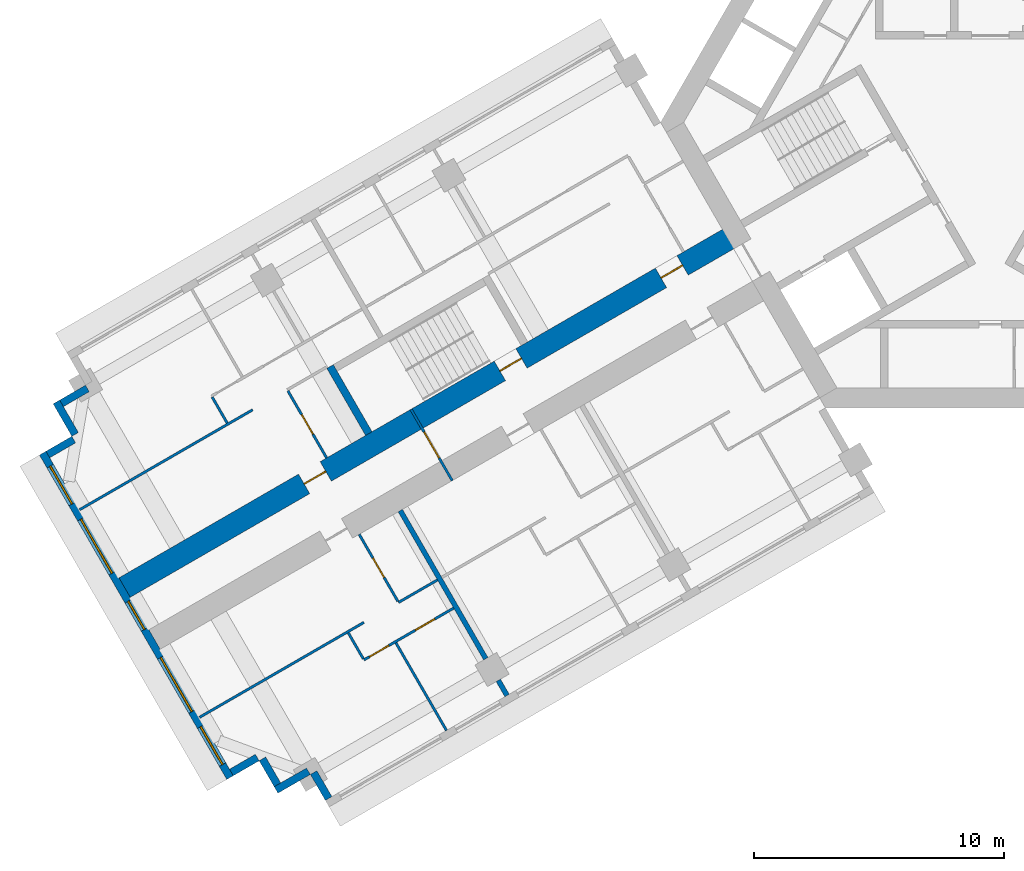
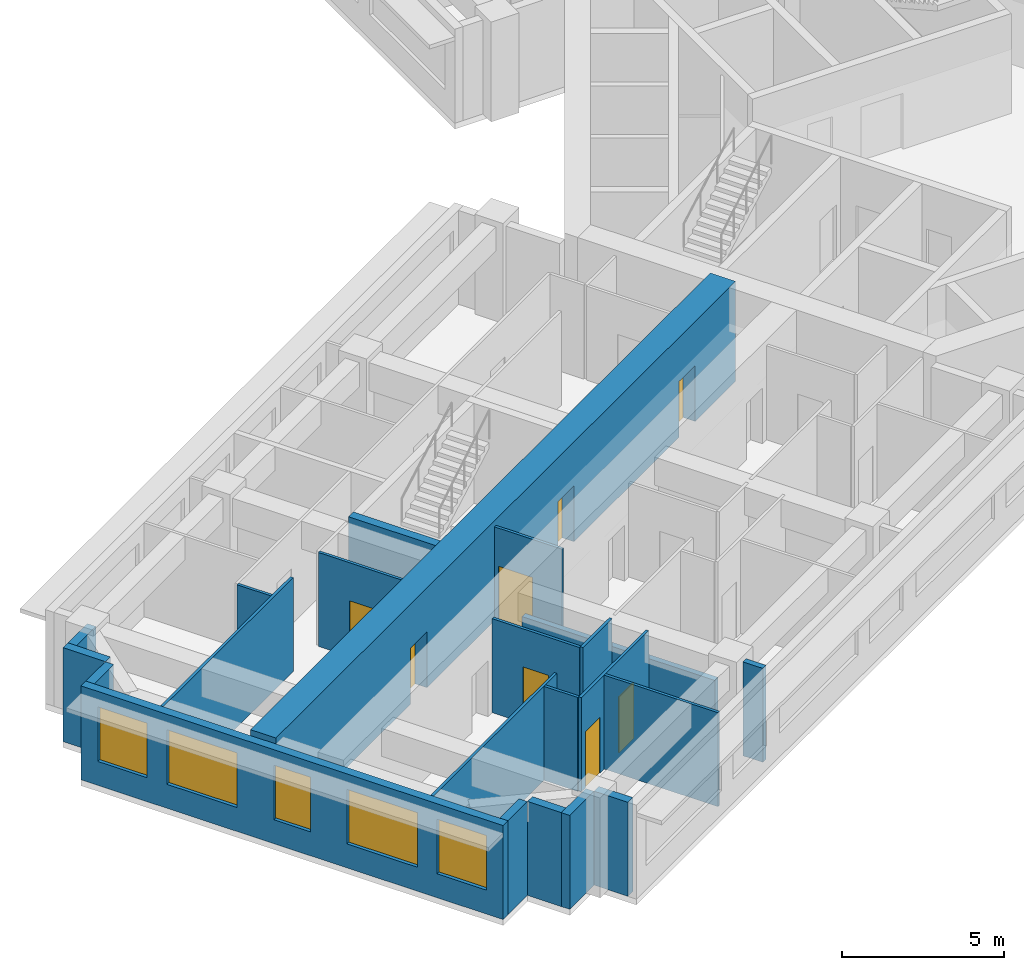
# One storey, part 2 of 12: 22 walls, 8 doors, 5 windows, 13 openings.
"""IFC4 building model written with IfcOpenShell, lengths in metres."""

from ifc_helpers import new_model, si_unit, direction, frame, frame_2d, origin, place, context, subcontext, project, spatial, rectangle, extrude, material, layer, layer_set, type_object, element, fill, save


model = new_model("IFC4")

# Units and contexts
model_context = context("Model", 3, precision=1e-05, world=origin(), true_north=direction((0.0, 1.0)))
body_context = subcontext(model_context, "Body", "Model", "MODEL_VIEW")
ifc_project = project(units=[si_unit("LENGTHUNIT", "METRE"), si_unit("AREAUNIT", "SQUARE_METRE"), si_unit("VOLUMEUNIT", "CUBIC_METRE"), si_unit("PLANEANGLEUNIT", "RADIAN"), si_unit("MASSUNIT", "GRAM", prefix="KILO")], contexts=[model_context])

# Site, building, storey
site_placement = place(None, origin())
site = spatial("IfcSite", under=ifc_project, at=site_placement, CompositionType="ELEMENT")
building_placement = place(site_placement, origin())
building = spatial("IfcBuilding", under=site, at=building_placement, Name="Impinga Residences", CompositionType="ELEMENT")
storey_placement = place(building_placement, frame((0.0, 0.0, 173.5)))
storey = spatial("IfcBuildingStorey", under=building, at=storey_placement, Name="L43", CompositionType="ELEMENT", Elevation=173.5)

# Wall, openings, doors
ifc_material_1 = material(Name="Concrete C60/75", Category="concrete")
ifc_layer_1 = layer(ifc_material_1, 0.89990234375)
ifc_layer_set_1 = layer_set([ifc_layer_1], Name="Concrete C60/75")
wall_type_1 = type_object("IfcWallType", Name="BW2 corridor buttress wall, L24 to L44 900", PredefinedType="SHEAR", material=ifc_layer_set_1)
wall_1_placement = place(storey_placement, frame((-10.153564453125, -4.4765625, 0.0), z_axis=(0.0, 0.0, 1.0), x_axis=(-0.866027127636, -0.49999701419, 0.0)))
wall_1 = element("IfcWall", 1, at=wall_1_placement, inside=storey, type_object=wall_type_1, Name="Corridor wall BW2 WD L43", PredefinedType="SHEAR", context=body_context, shape_type="SweptSolid", body=[
    extrude(rectangle(XDim=28.300048828125, YDim=0.89990234375, at=frame_2d((14.14990234375, 0.0))), origin(), (0.0, 0.0, 1.0), 3.75),
])
opening_1_placement = place(wall_1_placement, frame((9.949951171875, 0.0, 0.0)))
opening_1 = element("IfcOpeningElement", 2, at=opening_1_placement, cuts=wall_1, Name="Opening D5", PredefinedType="OPENING", context=body_context, shape_type="SweptSolid", body=[
    extrude(rectangle(XDim=1.0, YDim=2.10009765625, at=frame_2d((0.5, 1.050048828125))), frame((0.0, 0.4599609375, 0.0), z_axis=(0.0, -1.0, 0.0), x_axis=(1.0, 0.0, 0.0)), (0.0, 0.0, 1.0), 0.919921875),
])
opening_2_placement = place(wall_1_placement, frame((2.5, 0.0, 0.0)))
opening_2 = element("IfcOpeningElement", 3, at=opening_2_placement, cuts=wall_1, Name="Opening D1", PredefinedType="OPENING", context=body_context, shape_type="SweptSolid", body=[
    extrude(rectangle(XDim=1.0, YDim=2.10009765625, at=frame_2d((0.5, 1.050048828125))), frame((0.0, 0.4599609375, 0.0), z_axis=(0.0, -1.0, 0.0), x_axis=(1.0, 0.0, 0.0)), (0.0, 0.0, 1.0), 0.919921875),
])
opening_3_placement = place(wall_1_placement, frame((19.0, 0.0, 0.0)))
opening_3 = element("IfcOpeningElement", 4, at=opening_3_placement, cuts=wall_1, Name="Opening D1", PredefinedType="OPENING", context=body_context, shape_type="SweptSolid", body=[
    extrude(rectangle(XDim=1.0, YDim=2.10009765625, at=frame_2d((0.5, 1.050048828125))), frame((0.0, 0.4599609375, 0.0), z_axis=(0.0, -1.0, 0.0), x_axis=(1.0, 0.0, 0.0)), (0.0, 0.0, 1.0), 0.919921875),
])
ifc_material_2 = material(Name="Timber door set", Category="wood")
door_type_1 = type_object("IfcDoorType", Name="D1 apartment entrance door 1000x2100", OperationType="SINGLE_SWING_LEFT", PredefinedType="DOOR", material=ifc_material_2)
door_1_placement = place(opening_2_placement, origin())
door_1 = element("IfcDoor", 5, at=door_1_placement, inside=storey, type_object=door_type_1, Name="Apartment L43-WF1 entrance", OperationType="SINGLE_SWING_LEFT", OverallHeight=2.10009765625, OverallWidth=1.0, PredefinedType="DOOR", context=body_context, shape_type="SweptSolid", body=[
    extrude(rectangle(XDim=1.0, YDim=2.10009765625, at=frame_2d((0.5, 1.050048828125))), frame((0.0, 0.02490234375, 0.0), z_axis=(0.0, -1.0, 0.0), x_axis=(1.0, 0.0, 0.0)), (0.0, 0.0, 1.0), 0.050048828125),
])
fill(opening_2, door_1)
door_2_placement = place(opening_3_placement, origin())
door_2 = element("IfcDoor", 6, at=door_2_placement, inside=storey, type_object=door_type_1, Name="Apartment L43-WF2 entrance", OperationType="SINGLE_SWING_RIGHT", OverallHeight=2.10009765625, OverallWidth=1.0, PredefinedType="DOOR", context=body_context, shape_type="SweptSolid", body=[
    extrude(rectangle(XDim=1.0, YDim=2.10009765625, at=frame_2d((0.5, 1.050048828125))), frame((0.0, 0.02490234375, 0.0), z_axis=(0.0, -1.0, 0.0), x_axis=(1.0, 0.0, 0.0)), (0.0, 0.0, 1.0), 0.050048828125),
])
fill(opening_3, door_2)
door_type_2 = type_object("IfcDoorType", Name="D5 stair door 1000x2100", OperationType="SINGLE_SWING_LEFT", PredefinedType="DOOR", material=ifc_material_2)
door_3_placement = place(opening_1_placement, origin())
door_3 = element("IfcDoor", 7, at=door_3_placement, inside=storey, type_object=door_type_2, Name="Wing stair door W", OperationType="SINGLE_SWING_LEFT", OverallHeight=2.10009765625, OverallWidth=1.0, PredefinedType="DOOR", context=body_context, shape_type="SweptSolid", body=[
    extrude(rectangle(XDim=1.0, YDim=2.10009765625, at=frame_2d((0.5, 1.050048828125))), frame((0.0, 0.02490234375, 0.0), z_axis=(0.0, -1.0, 0.0), x_axis=(1.0, 0.0, 0.0)), (0.0, 0.0, 1.0), 0.050048828125),
])
fill(opening_1, door_3)

# Wall, opening, door
ifc_material_3 = material(Name="Concrete blockwork", Category="masonry")
ifc_layer_2 = layer(ifc_material_3, 0.10009765625)
ifc_layer_set_2 = layer_set([ifc_layer_2], Name="CP1 core room partition, blockwork 100")
wall_type_2 = type_object("IfcWallType", Name="CP1 core room partition, blockwork 100", PredefinedType="PARTITIONING", material=ifc_layer_set_2)
wall_2_placement = place(storey_placement, frame((-21.545654296875, -14.3447265625, 0.0), z_axis=(0.0, 0.0, 1.0), x_axis=(-0.50002983664, 0.866008176907, 0.0)))
wall_2 = element("IfcWall", 8, at=wall_2_placement, inside=storey, type_object=wall_type_2, Name="Core room partition, blockwork L43:W:PLB", PredefinedType="PARTITIONING", context=body_context, shape_type="SweptSolid", body=[
    extrude(rectangle(XDim=3.300048828125, YDim=0.10009765625, at=frame_2d((1.64990234375, 0.0))), origin(), (0.0, 0.0, 1.0), 3.530029296875),
])
opening_4_placement = place(wall_2_placement, frame((1.050048828125, 0.0, 0.0)))
opening_4 = element("IfcOpeningElement", 9, at=opening_4_placement, cuts=wall_2, Name="Opening D3", PredefinedType="OPENING", context=body_context, shape_type="SweptSolid", body=[
    extrude(rectangle(XDim=1.199951171875, YDim=2.10009765625, at=frame_2d((0.60009765625, 1.050048828125))), frame((0.0, 0.06005859375, 0.0), z_axis=(0.0, -1.0, 0.0), x_axis=(1.0, 0.0, 0.0)), (0.0, 0.0, 1.0), 0.1201171875),
])
door_type_3 = type_object("IfcDoorType", Name="D3 room door, leaf and a half 1200x2100", OperationType="DOUBLE_SWING_LEFT", PredefinedType="DOOR", material=ifc_material_2)
door_4_placement = place(opening_4_placement, origin())
door_4 = element("IfcDoor", 10, at=door_4_placement, inside=storey, type_object=door_type_3, Name="Private lobby door W", OperationType="DOUBLE_SWING_LEFT", OverallHeight=2.10009765625, OverallWidth=1.199951171875, PredefinedType="DOOR", context=body_context, shape_type="SweptSolid", body=[
    extrude(rectangle(XDim=1.199951171875, YDim=2.10009765625, at=frame_2d((0.60009765625, 1.050048828125))), frame((0.0, 0.02490234375, 0.0), z_axis=(0.0, -1.0, 0.0), x_axis=(1.0, 0.0, 0.0)), (0.0, 0.0, 1.0), 0.050048828125),
])
fill(opening_4, door_4)

# Walls
ifc_material_4 = material(Name="Terracotta rainscreen on blockwork", Category="masonry")
ifc_layer_3 = layer(ifc_material_4, 0.300048828125)
ifc_layer_set_3 = layer_set([ifc_layer_3], Name="EW1 external wall, terracotta rainscreen on blockwork 300")
wall_type_3 = type_object("IfcWallType", Name="EW1 external wall, terracotta rainscreen on blockwork 300", PredefinedType="SOLIDWALL", material=ifc_layer_set_3)
wall_3_placement = place(storey_placement, frame((-26.493896484375, -27.07421875, 0.0), z_axis=(0.0, 0.0, 1.0), x_axis=(-0.500033551112, 0.866006032174, 0.0)))
element("IfcWall", 11, at=wall_3_placement, inside=storey, type_object=wall_type_3, Name="External wall EW1 L43", PredefinedType="SOLIDWALL", context=body_context, shape_type="SweptSolid", body=[
    extrude(rectangle(XDim=1.2001953125, YDim=0.300048828125, at=frame_2d((0.60009765625, 0.0))), origin(), (0.0, 0.0, 1.0), 3.530029296875),
])
wall_4_placement = place(storey_placement, frame((-27.30322265625, -25.982666015625, 0.0), z_axis=(0.0, 0.0, 1.0), x_axis=(-0.866074087889, -0.499915667175, 0.0)))
element("IfcWall", 12, at=wall_4_placement, inside=storey, type_object=wall_type_3, Name="External wall EW1 L43", PredefinedType="SOLIDWALL", context=body_context, shape_type="SweptSolid", body=[
    extrude(rectangle(XDim=1.494873046875, YDim=0.300048828125, at=frame_2d((0.74755859375, 0.0))), origin(), (0.0, 0.0, 1.0), 3.530029296875),
])
wall_5_placement = place(storey_placement, frame((-28.54296875, -26.525146484375, 0.0), z_axis=(0.0, 0.0, 1.0), x_axis=(-0.500033551112, 0.866006032174, 0.0)))
element("IfcWall", 13, at=wall_5_placement, inside=storey, type_object=wall_type_3, Name="External wall EW1 L43", PredefinedType="SOLIDWALL", context=body_context, shape_type="SweptSolid", body=[
    extrude(rectangle(XDim=1.2001953125, YDim=0.300048828125, at=frame_2d((0.60009765625, 0.0))), origin(), (0.0, 0.0, 1.0), 3.530029296875),
])
wall_6_placement = place(storey_placement, frame((-29.352294921875, -25.43359375, 0.0), z_axis=(0.0, 0.0, 1.0), x_axis=(-0.866059708757, -0.499940577336, 0.0)))
element("IfcWall", 14, at=wall_6_placement, inside=storey, type_object=wall_type_3, Name="External wall EW1 L43", PredefinedType="SOLIDWALL", context=body_context, shape_type="SweptSolid", body=[
    extrude(rectangle(XDim=1.195068359375, YDim=0.300048828125, at=frame_2d((0.59765625, 0.0))), origin(), (0.0, 0.0, 1.0), 3.530029296875),
])

# Wall, openings, windows
wall_7_placement = place(storey_placement, frame((-30.44189453125, -26.23583984375, 0.0), z_axis=(0.0, 0.0, 1.0), x_axis=(-0.500004234368, 0.866022959057, 0.0)))
wall_7 = element("IfcWall", 15, at=wall_7_placement, inside=storey, type_object=wall_type_3, Name="External wall EW1 L43", PredefinedType="SOLIDWALL", context=body_context, shape_type="SweptSolid", body=[
    extrude(rectangle(XDim=14.999755859375, YDim=0.300048828125, at=frame_2d((7.5, 0.0))), origin(), (0.0, 0.0, 1.0), 3.530029296875),
])
opening_5_placement = place(wall_7_placement, frame((0.60009765625, 0.0, 0.89990234375)))
opening_5 = element("IfcOpeningElement", 16, at=opening_5_placement, cuts=wall_7, Name="Opening W1", PredefinedType="OPENING", context=body_context, shape_type="SweptSolid", body=[
    extrude(rectangle(XDim=1.75, YDim=2.050048828125, at=frame_2d((0.875, 1.02490234375))), frame((0.0, 0.159912109375, 0.0), z_axis=(0.0, -1.0, 0.0), x_axis=(1.0, 0.0, 0.0)), (0.0, 0.0, 1.0), 0.320068359375),
])
opening_6_placement = place(wall_7_placement, frame((3.050048828125, 0.0, 0.89990234375)))
opening_6 = element("IfcOpeningElement", 17, at=opening_6_placement, cuts=wall_7, Name="Opening W2", PredefinedType="OPENING", context=body_context, shape_type="SweptSolid", body=[
    extrude(rectangle(XDim=2.5, YDim=2.050048828125, at=frame_2d((1.25, 1.02490234375))), frame((0.0, 0.159912109375, 0.0), z_axis=(0.0, -1.0, 0.0), x_axis=(1.0, 0.0, 0.0)), (0.0, 0.0, 1.0), 0.320068359375),
])
opening_7_placement = place(wall_7_placement, frame((6.85009765625, 0.0, 0.89990234375)))
opening_7 = element("IfcOpeningElement", 18, at=opening_7_placement, cuts=wall_7, Name="Opening W17", PredefinedType="OPENING", context=body_context, shape_type="SweptSolid", body=[
    extrude(rectangle(XDim=1.300048828125, YDim=2.050048828125, at=frame_2d((0.64990234375, 1.02490234375))), frame((0.0, 0.159912109375, 0.0), z_axis=(0.0, -1.0, 0.0), x_axis=(1.0, 0.0, 0.0)), (0.0, 0.0, 1.0), 0.320068359375),
])
opening_8_placement = place(wall_7_placement, frame((9.449951171875, 0.0, 0.89990234375)))
opening_8 = element("IfcOpeningElement", 19, at=opening_8_placement, cuts=wall_7, Name="Opening W2", PredefinedType="OPENING", context=body_context, shape_type="SweptSolid", body=[
    extrude(rectangle(XDim=2.5, YDim=2.050048828125, at=frame_2d((1.25, 1.02490234375))), frame((0.0, 0.159912109375, 0.0), z_axis=(0.0, -1.0, 0.0), x_axis=(1.0, 0.0, 0.0)), (0.0, 0.0, 1.0), 0.320068359375),
])
opening_9_placement = place(wall_7_placement, frame((12.64990234375, 0.0, 0.89990234375)))
opening_9 = element("IfcOpeningElement", 20, at=opening_9_placement, cuts=wall_7, Name="Opening W1", PredefinedType="OPENING", context=body_context, shape_type="SweptSolid", body=[
    extrude(rectangle(XDim=1.75, YDim=2.050048828125, at=frame_2d((0.875, 1.02490234375))), frame((0.0, 0.159912109375, 0.0), z_axis=(0.0, -1.0, 0.0), x_axis=(1.0, 0.0, 0.0)), (0.0, 0.0, 1.0), 0.320068359375),
])
ifc_material_5 = material(Name="Aluminium window, clear double glazing", Category="aluminium")
window_type_1 = type_object("IfcWindowType", Name="W1 ribbon window 1750x2050", PartitioningType="SINGLE_PANEL", PredefinedType="WINDOW", material=ifc_material_5)
window_1_placement = place(opening_5_placement, origin())
window_1 = element("IfcWindow", 21, at=window_1_placement, inside=storey, type_object=window_type_1, Name="Window L43", OverallHeight=2.050048828125, OverallWidth=1.75, PartitioningType="SINGLE_PANEL", PredefinedType="WINDOW", context=body_context, shape_type="SweptSolid", body=[
    extrude(rectangle(XDim=1.75, YDim=2.050048828125, at=frame_2d((0.875, 1.02490234375))), frame((0.0, 0.030029296875, 0.0), z_axis=(0.0, -1.0, 0.0), x_axis=(1.0, 0.0, 0.0)), (0.0, 0.0, 1.0), 0.06005859375),
])
fill(opening_5, window_1)
window_2_placement = place(opening_9_placement, origin())
window_2 = element("IfcWindow", 22, at=window_2_placement, inside=storey, type_object=window_type_1, Name="Window L43", OverallHeight=2.050048828125, OverallWidth=1.75, PartitioningType="SINGLE_PANEL", PredefinedType="WINDOW", context=body_context, shape_type="SweptSolid", body=[
    extrude(rectangle(XDim=1.75, YDim=2.050048828125, at=frame_2d((0.875, 1.02490234375))), frame((0.0, 0.030029296875, 0.0), z_axis=(0.0, -1.0, 0.0), x_axis=(1.0, 0.0, 0.0)), (0.0, 0.0, 1.0), 0.06005859375),
])
fill(opening_9, window_2)
window_type_2 = type_object("IfcWindowType", Name="W17 ribbon window 1300x2050", PartitioningType="SINGLE_PANEL", PredefinedType="WINDOW", material=ifc_material_5)
window_3_placement = place(opening_7_placement, origin())
window_3 = element("IfcWindow", 23, at=window_3_placement, inside=storey, type_object=window_type_2, Name="Window L43", OverallHeight=2.050048828125, OverallWidth=1.300048828125, PartitioningType="SINGLE_PANEL", PredefinedType="WINDOW", context=body_context, shape_type="SweptSolid", body=[
    extrude(rectangle(XDim=1.300048828125, YDim=2.050048828125, at=frame_2d((0.64990234375, 1.02490234375))), frame((0.0, 0.030029296875, 0.0), z_axis=(0.0, -1.0, 0.0), x_axis=(1.0, 0.0, 0.0)), (0.0, 0.0, 1.0), 0.06005859375),
])
fill(opening_7, window_3)
window_type_3 = type_object("IfcWindowType", Name="W2 ribbon window 2500x2050", PartitioningType="SINGLE_PANEL", PredefinedType="WINDOW", material=ifc_material_5)
window_4_placement = place(opening_6_placement, origin())
window_4 = element("IfcWindow", 24, at=window_4_placement, inside=storey, type_object=window_type_3, Name="Window L43", OverallHeight=2.050048828125, OverallWidth=2.5, PartitioningType="SINGLE_PANEL", PredefinedType="WINDOW", context=body_context, shape_type="SweptSolid", body=[
    extrude(rectangle(XDim=2.5, YDim=2.050048828125, at=frame_2d((1.25, 1.02490234375))), frame((0.0, 0.030029296875, 0.0), z_axis=(0.0, -1.0, 0.0), x_axis=(1.0, 0.0, 0.0)), (0.0, 0.0, 1.0), 0.06005859375),
])
fill(opening_6, window_4)
window_5_placement = place(opening_8_placement, origin())
window_5 = element("IfcWindow", 25, at=window_5_placement, inside=storey, type_object=window_type_3, Name="Window L43", OverallHeight=2.050048828125, OverallWidth=2.5, PartitioningType="SINGLE_PANEL", PredefinedType="WINDOW", context=body_context, shape_type="SweptSolid", body=[
    extrude(rectangle(XDim=2.5, YDim=2.050048828125, at=frame_2d((1.25, 1.02490234375))), frame((0.0, 0.030029296875, 0.0), z_axis=(0.0, -1.0, 0.0), x_axis=(1.0, 0.0, 0.0)), (0.0, 0.0, 1.0), 0.06005859375),
])
fill(opening_8, window_5)

# Walls
wall_8_placement = place(storey_placement, frame((-37.737060546875, -13.300537109375, 0.0), z_axis=(0.0, 0.0, 1.0), x_axis=(0.865971243484, 0.500093796661, 0.0)))
element("IfcWall", 26, at=wall_8_placement, inside=storey, type_object=wall_type_3, Name="External wall EW1 L43", PredefinedType="SOLIDWALL", context=body_context, shape_type="SweptSolid", body=[
    extrude(rectangle(XDim=1.195068359375, YDim=0.300048828125, at=frame_2d((0.59765625, 0.0))), origin(), (0.0, 0.0, 1.0), 3.530029296875),
])
wall_9_placement = place(storey_placement, frame((-36.64306640625, -12.49560546875, 0.0), z_axis=(0.0, 0.0, 1.0), x_axis=(-0.499990139034, 0.866031096941, 0.0)))
element("IfcWall", 27, at=wall_9_placement, inside=storey, type_object=wall_type_3, Name="External wall EW1 L43", PredefinedType="SOLIDWALL", context=body_context, shape_type="SweptSolid", body=[
    extrude(rectangle(XDim=1.5, YDim=0.300048828125, at=frame_2d((0.75, 0.0))), origin(), (0.0, 0.0, 1.0), 3.530029296875),
])
wall_10_placement = place(storey_placement, frame((-37.18798828125, -11.25146484375, 0.0), z_axis=(0.0, 0.0, 1.0), x_axis=(0.866059708757, 0.499940577336, 0.0)))
element("IfcWall", 28, at=wall_10_placement, inside=storey, type_object=wall_type_3, Name="External wall EW1 L43", PredefinedType="SOLIDWALL", context=body_context, shape_type="SweptSolid", body=[
    extrude(rectangle(XDim=1.195068359375, YDim=0.300048828125, at=frame_2d((0.59765625, 0.0))), origin(), (0.0, 0.0, 1.0), 3.530029296875),
])
ifc_material_6 = material(Name="Gypsum board on steel studs", Category="steel")
ifc_layer_4 = layer(ifc_material_6, 0.10009765625)
ifc_layer_set_4 = layer_set([ifc_layer_4], Name="Gypsum board on steel studs")
wall_type_4 = type_object("IfcWallType", Name="IP1 partition 100", PredefinedType="PARTITIONING", material=ifc_layer_set_4)
wall_11_placement = place(storey_placement, frame((-22.1357421875, -18.32275390625, 0.0), z_axis=(0.0, 0.0, 1.0), x_axis=(-0.866047807691, -0.499961193289, 0.0)))
element("IfcWall", 29, at=wall_11_placement, inside=storey, type_object=wall_type_4, Name="Partition L43-WA3:DIV0", PredefinedType="PARTITIONING", context=body_context, shape_type="SweptSolid", body=[
    extrude(rectangle(XDim=1.800048828125, YDim=0.10009765625, at=frame_2d((0.89990234375, 0.0))), origin(), (0.0, 0.0, 1.0), 3.530029296875),
])
wall_12_placement = place(storey_placement, frame((-25.080322265625, -20.022705078125, 0.0), z_axis=(0.0, 0.0, 1.0), x_axis=(-0.866022425744, -0.500005158081, 0.0)))
element("IfcWall", 30, at=wall_12_placement, inside=storey, type_object=wall_type_4, Name="Partition L43-WA3:DIV1", PredefinedType="PARTITIONING", context=body_context, shape_type="SweptSolid", body=[
    extrude(rectangle(XDim=7.60009765625, YDim=0.10009765625, at=frame_2d((3.800048828125, 0.0))), origin(), (0.0, 0.0, 1.0), 3.530029296875),
])

# Wall, openings, doors
wall_13_placement = place(storey_placement, frame((-21.48583984375, -19.448486328125, 0.0), z_axis=(0.0, 0.0, 1.0), x_axis=(-0.86602981871, -0.499992353047, 0.0)))
wall_13 = element("IfcWall", 31, at=wall_13_placement, inside=storey, type_object=wall_type_4, Name="Partition L43-WA3:STRIP", PredefinedType="PARTITIONING", context=body_context, shape_type="SweptSolid", body=[
    extrude(rectangle(XDim=4.14990234375, YDim=0.10009765625, at=frame_2d((2.074951171875, 0.0))), origin(), (0.0, 0.0, 1.0), 3.530029296875),
])
opening_10_placement = place(wall_13_placement, frame((0.875, 0.0, 0.0)))
opening_10 = element("IfcOpeningElement", 32, at=opening_10_placement, cuts=wall_13, Name="Opening D2", PredefinedType="OPENING", context=body_context, shape_type="SweptSolid", body=[
    extrude(rectangle(XDim=0.89990234375, YDim=2.10009765625, at=frame_2d((0.449951171875, 1.050048828125))), frame((0.0, 0.06005859375, 0.0), z_axis=(0.0, -1.0, 0.0), x_axis=(1.0, 0.0, 0.0)), (0.0, 0.0, 1.0), 0.1201171875),
])
opening_11_placement = place(wall_13_placement, frame((3.0, 0.0, 0.0)))
opening_11 = element("IfcOpeningElement", 33, at=opening_11_placement, cuts=wall_13, Name="Opening D2", PredefinedType="OPENING", context=body_context, shape_type="SweptSolid", body=[
    extrude(rectangle(XDim=0.89990234375, YDim=2.10009765625, at=frame_2d((0.449951171875, 1.050048828125))), frame((0.0, 0.06005859375, 0.0), z_axis=(0.0, -1.0, 0.0), x_axis=(1.0, 0.0, 0.0)), (0.0, 0.0, 1.0), 0.1201171875),
])
door_type_4 = type_object("IfcDoorType", Name="D2 internal door 900x2100", OperationType="SINGLE_SWING_LEFT", PredefinedType="DOOR", material=ifc_material_2)
door_5_placement = place(opening_10_placement, origin())
door_5 = element("IfcDoor", 34, at=door_5_placement, inside=storey, type_object=door_type_4, Name="Apartment L43-WA3 room door", OperationType="SINGLE_SWING_LEFT", OverallHeight=2.10009765625, OverallWidth=0.89990234375, PredefinedType="DOOR", context=body_context, shape_type="SweptSolid", body=[
    extrude(rectangle(XDim=0.89990234375, YDim=2.10009765625, at=frame_2d((0.449951171875, 1.050048828125))), frame((0.0, 0.02490234375, 0.0), z_axis=(0.0, -1.0, 0.0), x_axis=(1.0, 0.0, 0.0)), (0.0, 0.0, 1.0), 0.050048828125),
])
fill(opening_10, door_5)
door_6_placement = place(opening_11_placement, origin())
door_6 = element("IfcDoor", 35, at=door_6_placement, inside=storey, type_object=door_type_4, Name="Apartment L43-WA3 room door", OperationType="SINGLE_SWING_RIGHT", OverallHeight=2.10009765625, OverallWidth=0.89990234375, PredefinedType="DOOR", context=body_context, shape_type="SweptSolid", body=[
    extrude(rectangle(XDim=0.89990234375, YDim=2.10009765625, at=frame_2d((0.449951171875, 1.050048828125))), frame((0.0, 0.02490234375, 0.0), z_axis=(0.0, -1.0, 0.0), x_axis=(1.0, 0.0, 0.0)), (0.0, 0.0, 1.0), 0.050048828125),
])
fill(opening_11, door_6)

# Wall
wall_14_placement = place(storey_placement, frame((-25.704833984375, -20.44091796875, 0.0), z_axis=(0.0, 0.0, 1.0), x_axis=(0.500033551112, -0.866006032174, 0.0)))
element("IfcWall", 36, at=wall_14_placement, inside=storey, type_object=wall_type_4, Name="Partition L43-WA3:SE1", PredefinedType="PARTITIONING", context=body_context, shape_type="SweptSolid", body=[
    extrude(rectangle(XDim=1.2001953125, YDim=0.10009765625, at=frame_2d((0.60009765625, 0.0))), origin(), (0.0, 0.0, 1.0), 3.530029296875),
])

# Wall, opening, door
wall_15_placement = place(storey_placement, frame((-25.269775390625, -16.49462890625, 0.0), z_axis=(0.0, 0.0, 1.0), x_axis=(0.49999285859, -0.86602952684, 0.0)))
wall_15 = element("IfcWall", 37, at=wall_15_placement, inside=storey, type_object=wall_type_4, Name="Partition L43-WA3:IB1", PredefinedType="PARTITIONING", context=body_context, shape_type="SweptSolid", body=[
    extrude(rectangle(XDim=3.10009765625, YDim=0.10009765625, at=frame_2d((1.550048828125, 0.0))), origin(), (0.0, 0.0, 1.0), 3.530029296875),
])
opening_12_placement = place(wall_15_placement, frame((1.10009765625, 0.0, 0.0)))
opening_12 = element("IfcOpeningElement", 38, at=opening_12_placement, cuts=wall_15, Name="Opening D2", PredefinedType="OPENING", context=body_context, shape_type="SweptSolid", body=[
    extrude(rectangle(XDim=0.89990234375, YDim=2.10009765625, at=frame_2d((0.449951171875, 1.050048828125))), frame((0.0, 0.06005859375, 0.0), z_axis=(0.0, -1.0, 0.0), x_axis=(1.0, 0.0, 0.0)), (0.0, 0.0, 1.0), 0.1201171875),
])
door_7_placement = place(opening_12_placement, origin())
door_7 = element("IfcDoor", 39, at=door_7_placement, inside=storey, type_object=door_type_4, Name="Apartment L43-WA3 bathroom door", OperationType="SINGLE_SWING_LEFT", OverallHeight=2.10009765625, OverallWidth=0.89990234375, PredefinedType="DOOR", context=body_context, shape_type="SweptSolid", body=[
    extrude(rectangle(XDim=0.89990234375, YDim=2.10009765625, at=frame_2d((0.449951171875, 1.050048828125))), frame((0.0, 0.02490234375, 0.0), z_axis=(0.0, -1.0, 0.0), x_axis=(1.0, 0.0, 0.0)), (0.0, 0.0, 1.0), 0.050048828125),
])
fill(opening_12, door_7)

# Walls
wall_16_placement = place(storey_placement, frame((-23.799072265625, -20.841796875, 0.0), z_axis=(0.0, 0.0, 1.0), x_axis=(0.499990325971, -0.866030989016, 0.0)))
element("IfcWall", 40, at=wall_16_placement, inside=storey, type_object=wall_type_4, Name="Partition L43-WA3:OB1", PredefinedType="PARTITIONING", context=body_context, shape_type="SweptSolid", body=[
    extrude(rectangle(XDim=4.0498046875, YDim=0.10009765625, at=frame_2d((2.02490234375, 0.0))), origin(), (0.0, 0.0, 1.0), 3.530029296875),
])
wall_17_placement = place(storey_placement, frame((-29.533935546875, -11.5087890625, 0.0), z_axis=(0.0, 0.0, 1.0), x_axis=(-0.866026010844, -0.49999894854, 0.0)))
element("IfcWall", 41, at=wall_17_placement, inside=storey, type_object=wall_type_4, Name="Partition L43-WF2:DIV1", PredefinedType="PARTITIONING", context=body_context, shape_type="SweptSolid", body=[
    extrude(rectangle(XDim=8.0, YDim=0.10009765625, at=frame_2d((4.0, 0.0))), origin(), (0.0, 0.0, 1.0), 3.530029296875),
])
wall_18_placement = place(storey_placement, frame((-30.554931640625, -12.04052734375, 0.0), z_axis=(0.0, 0.0, 1.0), x_axis=(-0.499880961361, 0.866094119867, 0.0)))
element("IfcWall", 42, at=wall_18_placement, inside=storey, type_object=wall_type_4, Name="Partition L43-WF2:SE1", PredefinedType="PARTITIONING", context=body_context, shape_type="SweptSolid", body=[
    extrude(rectangle(XDim=1.199951171875, YDim=0.10009765625, at=frame_2d((0.60009765625, 0.0))), origin(), (0.0, 0.0, 1.0), 3.530029296875),
])

# Wall, opening, door
wall_19_placement = place(storey_placement, frame((-26.5732421875, -13.436767578125, 0.0), z_axis=(0.0, 0.0, 1.0), x_axis=(-0.500026960575, 0.86600983753, 0.0)))
wall_19 = element("IfcWall", 43, at=wall_19_placement, inside=storey, type_object=wall_type_4, Name="Partition L43-WF2:IB1", PredefinedType="PARTITIONING", context=body_context, shape_type="SweptSolid", body=[
    extrude(rectangle(XDim=3.099853515625, YDim=0.10009765625, at=frame_2d((1.5498046875, 0.0))), origin(), (0.0, 0.0, 1.0), 3.530029296875),
])
opening_13_placement = place(wall_19_placement, frame((1.10009765625, 0.0, 0.0)))
opening_13 = element("IfcOpeningElement", 44, at=opening_13_placement, cuts=wall_19, Name="Opening D2", PredefinedType="OPENING", context=body_context, shape_type="SweptSolid", body=[
    extrude(rectangle(XDim=0.89990234375, YDim=2.10009765625, at=frame_2d((0.449951171875, 1.050048828125))), frame((0.0, 0.06005859375, 0.0), z_axis=(0.0, -1.0, 0.0), x_axis=(1.0, 0.0, 0.0)), (0.0, 0.0, 1.0), 0.1201171875),
])
door_8_placement = place(opening_13_placement, origin())
door_8 = element("IfcDoor", 45, at=door_8_placement, inside=storey, type_object=door_type_4, Name="Apartment L43-WF2 bathroom door", OperationType="SINGLE_SWING_LEFT", OverallHeight=2.10009765625, OverallWidth=0.89990234375, PredefinedType="DOOR", context=body_context, shape_type="SweptSolid", body=[
    extrude(rectangle(XDim=0.89990234375, YDim=2.10009765625, at=frame_2d((0.449951171875, 1.050048828125))), frame((0.0, 0.02490234375, 0.0), z_axis=(0.0, -1.0, 0.0), x_axis=(1.0, 0.0, 0.0)), (0.0, 0.0, 1.0), 0.050048828125),
])
fill(opening_13, door_8)

# Walls
ifc_layer_5 = layer(ifc_material_3, 0.199951171875)
ifc_layer_set_5 = layer_set([ifc_layer_5], Name="PW1 party wall between apartments 200")
wall_type_5 = type_object("IfcWallType", Name="PW1 party wall between apartments 200", PredefinedType="SOLIDWALL", material=ifc_layer_set_5)
wall_20_placement = place(storey_placement, frame((-23.624267578125, -15.544677734375, 0.0), z_axis=(0.0, 0.0, 1.0), x_axis=(0.499999086063, -0.866025931445, 0.0)))
element("IfcWall", 46, at=wall_20_placement, inside=storey, type_object=wall_type_5, Name="Party wall between apartments L43-WA2:PARTY", PredefinedType="SOLIDWALL", context=body_context, shape_type="SweptSolid", body=[
    extrude(rectangle(XDim=6.85009765625, YDim=0.199951171875, at=frame_2d((3.425048828125, 0.0))), origin(), (0.0, 0.0, 1.0), 2.47998046875),
])
wall_21_placement = place(storey_placement, frame((-19.69921875, -22.343017578125, 0.0), z_axis=(0.0, 0.0, 1.0), x_axis=(0.500114896893, -0.865959057869, 0.0)))
element("IfcWall", 47, at=wall_21_placement, inside=storey, type_object=wall_type_5, Name="Party wall between apartments L43-WA2:PARTYb", PredefinedType="SOLIDWALL", context=body_context, shape_type="SweptSolid", body=[
    extrude(rectangle(XDim=0.699951171875, YDim=0.199951171875, at=frame_2d((0.35009765625, 0.0))), origin(), (0.0, 0.0, 1.0), 3.530029296875),
])
ifc_layer_6 = layer(ifc_material_1, 0.300048828125)
ifc_layer_set_6 = layer_set([ifc_layer_6], Name="Concrete C60/75")
wall_type_6 = type_object("IfcWallType", Name="SE1 wing stair enclosure wall 300", PredefinedType="SOLIDWALL", material=ifc_layer_set_6)
wall_22_placement = place(storey_placement, frame((-24.884521484375, -12.4619140625, 0.0), z_axis=(0.0, 0.0, 1.0), x_axis=(-0.49999285859, 0.86602952684, 0.0)))
element("IfcWall", 48, at=wall_22_placement, inside=storey, type_object=wall_type_6, Name="Stair enclosure wall SE1 W END1 L43", PredefinedType="SOLIDWALL", context=body_context, shape_type="SweptSolid", body=[
    extrude(rectangle(XDim=3.10009765625, YDim=0.300048828125, at=frame_2d((1.550048828125, 0.0))), origin(), (0.0, 0.0, 1.0), 3.75),
])

save(model, "model.ifc")
